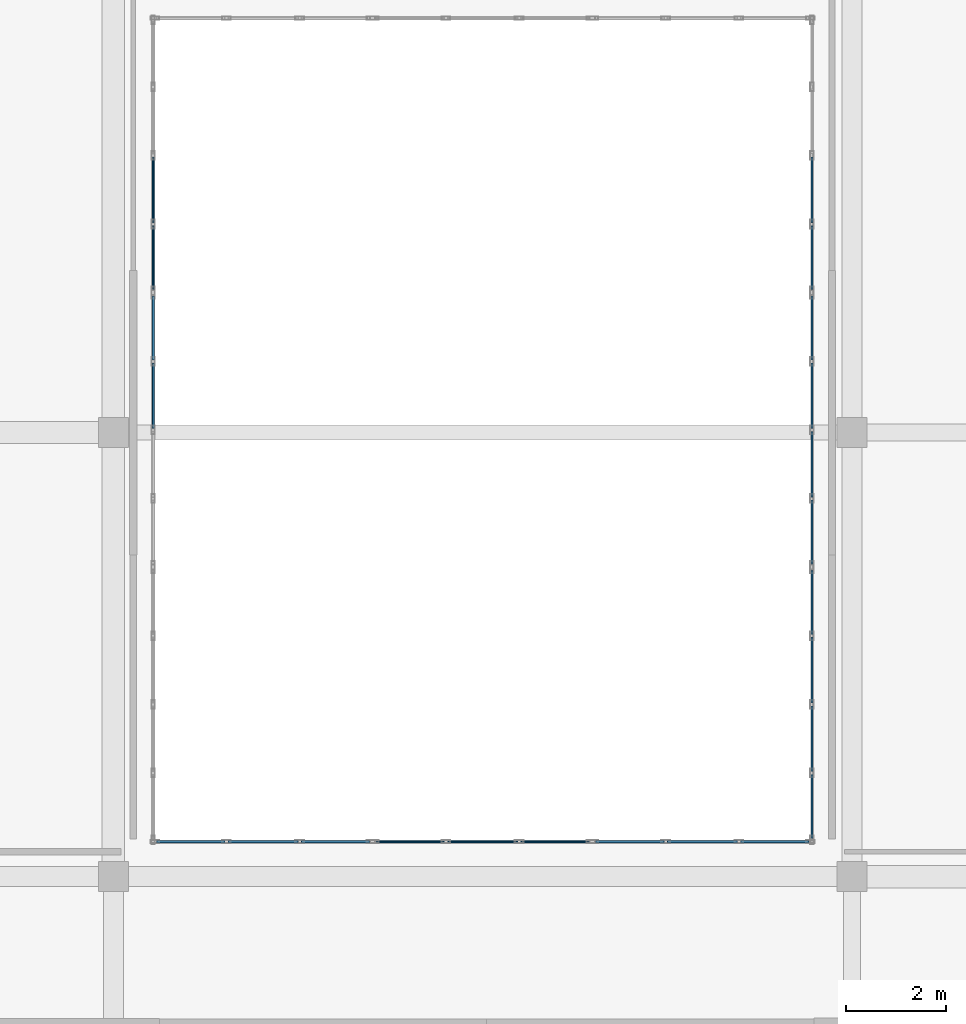
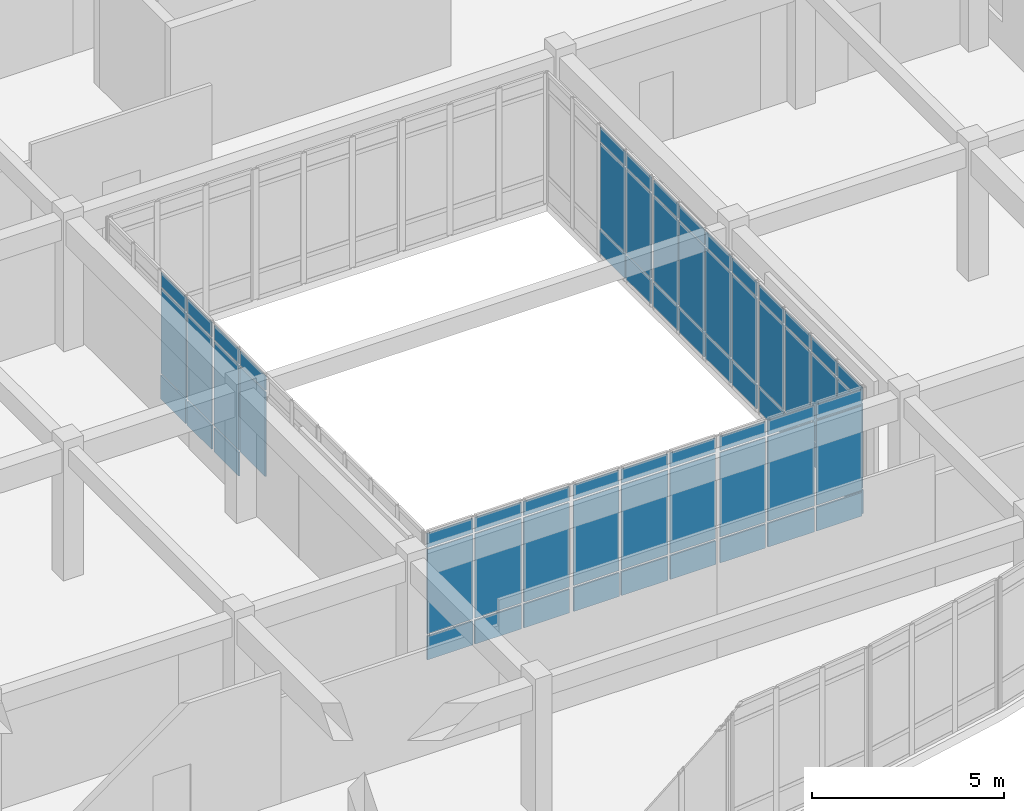
# One storey, part 113 of 142: 68 plates, 8 elements without a shape of their own.
"""IFC4 building model written with IfcOpenShell, lengths in metres."""

from ifc_helpers import new_model, si_unit, direction, frame, origin, origin_2d, place, context, subcontext, project, spatial, rectangle, extrude, material, layer, layer_set, type_object, element, aggregate, save


model = new_model("IFC4")

# Units and contexts
model_context = context("Model", 3, precision=1e-05, world=origin(), true_north=direction((0.0, 1.0)))
body_context = subcontext(model_context, "Body", "Model", "MODEL_VIEW")
ifc_project = project(units=[si_unit("LENGTHUNIT", "METRE"), si_unit("AREAUNIT", "SQUARE_METRE"), si_unit("VOLUMEUNIT", "CUBIC_METRE"), si_unit("PLANEANGLEUNIT", "RADIAN"), si_unit("MASSUNIT", "GRAM", prefix="KILO")], contexts=[model_context])

# Site, building, storey
site_placement = place(None, origin())
site = spatial("IfcSite", under=ifc_project, at=site_placement, CompositionType="ELEMENT")
building_placement = place(site_placement, origin())
building = spatial("IfcBuilding", under=site, at=building_placement, Name="Valcora Specialist Clinic", CompositionType="ELEMENT")
storey_placement = place(building_placement, frame((0.0, 0.0, 5.10009765625)))
storey = spatial("IfcBuildingStorey", under=building, at=storey_placement, Name="L01", CompositionType="ELEMENT", Elevation=5.10009765625)

# Curtain wall, plates
ifc_material_1 = material(Name="Anodized Bronze Aluminium 6063-T6", Category="aluminium")
ifc_layer_1 = layer(ifc_material_1, 0.175048828125)
ifc_layer_set_1 = layer_set([ifc_layer_1], Name="Anodized Bronze Aluminium 6063-T6")
curtain_wall_type = type_object("IfcCurtainWallType", Name="TY-CW-CRT15", PredefinedType="NOTDEFINED", material=ifc_layer_set_1)
curtain_wall_1_placement = place(storey_placement, origin())
curtain_wall_1 = element("IfcCurtainWall", 1, at=curtain_wall_1_placement, inside=storey, type_object=curtain_wall_type, Name="Curtain wall CW-L01-074", PredefinedType="NOTDEFINED")
ifc_material_2 = material(Name="Low-E Laminated Insulating Glass", Category="glass")
ifc_layer_2 = layer(ifc_material_2, 0.028076171875)
ifc_layer_set_2 = layer_set([ifc_layer_2], Name="Low-E Laminated Insulating Glass")
plate_type_1 = type_object("IfcPlateType", Name="TY-CWP-GLZ28", PredefinedType="CURTAIN_PANEL", material=ifc_layer_set_2)
plate_1_placement = place(storey_placement, frame((117.149658203125, 82.0, 0.88232421875), z_axis=(0.0, 0.0, 1.0), x_axis=(1.0, 0.0, 0.0)))
plate_1 = element("IfcPlate", 2, at=plate_1_placement, type_object=plate_type_1, Name="CW-CRT-15 panel 1.2", PredefinedType="CURTAIN_PANEL", context=body_context, shape_type="SweptSolid", body=[
    extrude(rectangle(XDim=1.369140625, YDim=0.028076171875, at=origin_2d()), origin(), (0.0, 0.0, 1.0), 2.679931640625),
])
plate_2_placement = place(storey_placement, frame((117.149658203125, 82.0, 3.62744140625), z_axis=(0.0, 0.0, 1.0), x_axis=(1.0, 0.0, 0.0)))
plate_2 = element("IfcPlate", 3, at=plate_2_placement, type_object=plate_type_1, Name="CW-CRT-15 panel 1.3", PredefinedType="CURTAIN_PANEL", context=body_context, shape_type="SweptSolid", body=[
    extrude(rectangle(XDim=1.369140625, YDim=0.028076171875, at=origin_2d()), origin(), (0.0, 0.0, 1.0), 0.452392578125),
])
plate_3_placement = place(storey_placement, frame((118.60009765625, 82.0, 0.88232421875), z_axis=(0.0, 0.0, 1.0), x_axis=(1.0, 0.0, 0.0)))
plate_3 = element("IfcPlate", 4, at=plate_3_placement, type_object=plate_type_1, Name="CW-CRT-15 panel 2.2", PredefinedType="CURTAIN_PANEL", context=body_context, shape_type="SweptSolid", body=[
    extrude(rectangle(XDim=1.401611328125, YDim=0.028076171875, at=origin_2d()), origin(), (0.0, 0.0, 1.0), 2.679931640625),
])
plate_4_placement = place(storey_placement, frame((118.60009765625, 82.0, 3.62744140625), z_axis=(0.0, 0.0, 1.0), x_axis=(1.0, 0.0, 0.0)))
plate_4 = element("IfcPlate", 5, at=plate_4_placement, type_object=plate_type_1, Name="CW-CRT-15 panel 2.3", PredefinedType="CURTAIN_PANEL", context=body_context, shape_type="SweptSolid", body=[
    extrude(rectangle(XDim=1.401611328125, YDim=0.028076171875, at=origin_2d()), origin(), (0.0, 0.0, 1.0), 0.452392578125),
])
plate_5_placement = place(storey_placement, frame((120.050537109375, 82.0, 0.88232421875), z_axis=(0.0, 0.0, 1.0), x_axis=(1.0, 0.0, 0.0)))
plate_5 = element("IfcPlate", 6, at=plate_5_placement, type_object=plate_type_1, Name="CW-CRT-15 panel 3.2", PredefinedType="CURTAIN_PANEL", context=body_context, shape_type="SweptSolid", body=[
    extrude(rectangle(XDim=1.369140625, YDim=0.028076171875, at=origin_2d()), origin(), (0.0, 0.0, 1.0), 2.679931640625),
])
plate_6_placement = place(storey_placement, frame((120.050537109375, 82.0, 3.62744140625), z_axis=(0.0, 0.0, 1.0), x_axis=(1.0, 0.0, 0.0)))
plate_6 = element("IfcPlate", 7, at=plate_6_placement, type_object=plate_type_1, Name="CW-CRT-15 panel 3.3", PredefinedType="CURTAIN_PANEL", context=body_context, shape_type="SweptSolid", body=[
    extrude(rectangle(XDim=1.369140625, YDim=0.028076171875, at=origin_2d()), origin(), (0.0, 0.0, 1.0), 0.452392578125),
])

curtain_wall_2_placement = place(storey_placement, origin())
curtain_wall_2 = element("IfcCurtainWall", 8, at=curtain_wall_2_placement, inside=storey, type_object=curtain_wall_type, Name="Curtain wall CW-L01-076", PredefinedType="NOTDEFINED")
plate_7_placement = place(storey_placement, frame((125.199951171875, 82.703857421875, 0.88232421875), z_axis=(0.0, 0.0, 1.0), x_axis=(0.0, 1.0, 0.0)))
plate_7 = element("IfcPlate", 9, at=plate_7_placement, type_object=plate_type_1, Name="CW-CRT-15 panel 1.2", PredefinedType="CURTAIN_PANEL", context=body_context, shape_type="SweptSolid", body=[
    extrude(rectangle(XDim=1.277587890625, YDim=0.028076171875, at=origin_2d()), origin(), (0.0, 0.0, 1.0), 2.679931640625),
])
plate_8_placement = place(storey_placement, frame((125.199951171875, 82.703857421875, 3.62744140625), z_axis=(0.0, 0.0, 1.0), x_axis=(0.0, 1.0, 0.0)))
plate_8 = element("IfcPlate", 10, at=plate_8_placement, type_object=plate_type_1, Name="CW-CRT-15 panel 1.3", PredefinedType="CURTAIN_PANEL", context=body_context, shape_type="SweptSolid", body=[
    extrude(rectangle(XDim=1.277587890625, YDim=0.028076171875, at=origin_2d()), origin(), (0.0, 0.0, 1.0), 0.452392578125),
])
plate_9_placement = place(storey_placement, frame((125.199951171875, 84.0625, 0.88232421875), z_axis=(0.0, 0.0, 1.0), x_axis=(0.0, 1.0, 0.0)))
plate_9 = element("IfcPlate", 11, at=plate_9_placement, type_object=plate_type_1, Name="CW-CRT-15 panel 2.2", PredefinedType="CURTAIN_PANEL", context=body_context, shape_type="SweptSolid", body=[
    extrude(rectangle(XDim=1.31005859375, YDim=0.028076171875, at=origin_2d()), origin(), (0.0, 0.0, 1.0), 2.679931640625),
])
plate_10_placement = place(storey_placement, frame((125.199951171875, 84.0625, 3.62744140625), z_axis=(0.0, 0.0, 1.0), x_axis=(0.0, 1.0, 0.0)))
plate_10 = element("IfcPlate", 12, at=plate_10_placement, type_object=plate_type_1, Name="CW-CRT-15 panel 2.3", PredefinedType="CURTAIN_PANEL", context=body_context, shape_type="SweptSolid", body=[
    extrude(rectangle(XDim=1.31005859375, YDim=0.028076171875, at=origin_2d()), origin(), (0.0, 0.0, 1.0), 0.452392578125),
])
plate_11_placement = place(storey_placement, frame((125.199951171875, 85.4375, 0.88232421875), z_axis=(0.0, 0.0, 1.0), x_axis=(0.0, 1.0, 0.0)))
plate_11 = element("IfcPlate", 13, at=plate_11_placement, type_object=plate_type_1, Name="CW-CRT-15 panel 3.2", PredefinedType="CURTAIN_PANEL", context=body_context, shape_type="SweptSolid", body=[
    extrude(rectangle(XDim=1.31005859375, YDim=0.028076171875, at=origin_2d()), origin(), (0.0, 0.0, 1.0), 2.679931640625),
])
plate_12_placement = place(storey_placement, frame((125.199951171875, 85.4375, 3.62744140625), z_axis=(0.0, 0.0, 1.0), x_axis=(0.0, 1.0, 0.0)))
plate_12 = element("IfcPlate", 14, at=plate_12_placement, type_object=plate_type_1, Name="CW-CRT-15 panel 3.3", PredefinedType="CURTAIN_PANEL", context=body_context, shape_type="SweptSolid", body=[
    extrude(rectangle(XDim=1.31005859375, YDim=0.028076171875, at=origin_2d()), origin(), (0.0, 0.0, 1.0), 0.452392578125),
])
plate_13_placement = place(storey_placement, frame((125.199951171875, 86.796142578125, 0.88232421875), z_axis=(0.0, 0.0, 1.0), x_axis=(0.0, 1.0, 0.0)))
plate_13 = element("IfcPlate", 15, at=plate_13_placement, type_object=plate_type_1, Name="CW-CRT-15 panel 4.2", PredefinedType="CURTAIN_PANEL", context=body_context, shape_type="SweptSolid", body=[
    extrude(rectangle(XDim=1.277587890625, YDim=0.028076171875, at=origin_2d()), origin(), (0.0, 0.0, 1.0), 2.679931640625),
])
plate_14_placement = place(storey_placement, frame((125.199951171875, 86.796142578125, 3.62744140625), z_axis=(0.0, 0.0, 1.0), x_axis=(0.0, 1.0, 0.0)))
plate_14 = element("IfcPlate", 16, at=plate_14_placement, type_object=plate_type_1, Name="CW-CRT-15 panel 4.3", PredefinedType="CURTAIN_PANEL", context=body_context, shape_type="SweptSolid", body=[
    extrude(rectangle(XDim=1.277587890625, YDim=0.028076171875, at=origin_2d()), origin(), (0.0, 0.0, 1.0), 0.452392578125),
])

curtain_wall_3_placement = place(storey_placement, origin())
curtain_wall_3 = element("IfcCurtainWall", 17, at=curtain_wall_3_placement, inside=storey, type_object=curtain_wall_type, Name="Curtain wall CW-L01-078", PredefinedType="NOTDEFINED")
plate_15_placement = place(storey_placement, frame((125.199951171875, 93.703857421875, 0.88232421875), z_axis=(0.0, 0.0, 1.0), x_axis=(0.0, 1.0, 0.0)))
plate_15 = element("IfcPlate", 18, at=plate_15_placement, type_object=plate_type_1, Name="CW-CRT-15 panel 1.2", PredefinedType="CURTAIN_PANEL", context=body_context, shape_type="SweptSolid", body=[
    extrude(rectangle(XDim=1.277587890625, YDim=0.028076171875, at=origin_2d()), origin(), (0.0, 0.0, 1.0), 2.679931640625),
])
plate_16_placement = place(storey_placement, frame((125.199951171875, 93.703857421875, 3.62744140625), z_axis=(0.0, 0.0, 1.0), x_axis=(0.0, 1.0, 0.0)))
plate_16 = element("IfcPlate", 19, at=plate_16_placement, type_object=plate_type_1, Name="CW-CRT-15 panel 1.3", PredefinedType="CURTAIN_PANEL", context=body_context, shape_type="SweptSolid", body=[
    extrude(rectangle(XDim=1.277587890625, YDim=0.028076171875, at=origin_2d()), origin(), (0.0, 0.0, 1.0), 0.452392578125),
])
plate_17_placement = place(storey_placement, frame((125.199951171875, 95.0625, 0.88232421875), z_axis=(0.0, 0.0, 1.0), x_axis=(0.0, 1.0, 0.0)))
plate_17 = element("IfcPlate", 20, at=plate_17_placement, type_object=plate_type_1, Name="CW-CRT-15 panel 2.2", PredefinedType="CURTAIN_PANEL", context=body_context, shape_type="SweptSolid", body=[
    extrude(rectangle(XDim=1.31005859375, YDim=0.028076171875, at=origin_2d()), origin(), (0.0, 0.0, 1.0), 2.679931640625),
])
plate_18_placement = place(storey_placement, frame((125.199951171875, 95.0625, 3.62744140625), z_axis=(0.0, 0.0, 1.0), x_axis=(0.0, 1.0, 0.0)))
plate_18 = element("IfcPlate", 21, at=plate_18_placement, type_object=plate_type_1, Name="CW-CRT-15 panel 2.3", PredefinedType="CURTAIN_PANEL", context=body_context, shape_type="SweptSolid", body=[
    extrude(rectangle(XDim=1.31005859375, YDim=0.028076171875, at=origin_2d()), origin(), (0.0, 0.0, 1.0), 0.452392578125),
])

curtain_wall_4_placement = place(storey_placement, origin())
curtain_wall_4 = element("IfcCurtainWall", 22, at=curtain_wall_4_placement, inside=storey, type_object=curtain_wall_type, Name="Curtain wall CW-L01-082", PredefinedType="NOTDEFINED")
plate_19_placement = place(storey_placement, frame((112.0, 95.0625, 0.88232421875), z_axis=(0.0, 0.0, 1.0), x_axis=(0.0, -1.0, 0.0)))
plate_19 = element("IfcPlate", 23, at=plate_19_placement, type_object=plate_type_1, Name="CW-CRT-15 panel 3.2", PredefinedType="CURTAIN_PANEL", context=body_context, shape_type="SweptSolid", body=[
    extrude(rectangle(XDim=1.31005859375, YDim=0.028076171875, at=origin_2d()), origin(), (0.0, 0.0, 1.0), 2.679931640625),
])
plate_20_placement = place(storey_placement, frame((112.0, 95.0625, 3.62744140625), z_axis=(0.0, 0.0, 1.0), x_axis=(0.0, -1.0, 0.0)))
plate_20 = element("IfcPlate", 24, at=plate_20_placement, type_object=plate_type_1, Name="CW-CRT-15 panel 3.3", PredefinedType="CURTAIN_PANEL", context=body_context, shape_type="SweptSolid", body=[
    extrude(rectangle(XDim=1.31005859375, YDim=0.028076171875, at=origin_2d()), origin(), (0.0, 0.0, 1.0), 0.452392578125),
])
plate_21_placement = place(storey_placement, frame((112.0, 93.703857421875, 0.88232421875), z_axis=(0.0, 0.0, 1.0), x_axis=(0.0, -1.0, 0.0)))
plate_21 = element("IfcPlate", 25, at=plate_21_placement, type_object=plate_type_1, Name="CW-CRT-15 panel 4.2", PredefinedType="CURTAIN_PANEL", context=body_context, shape_type="SweptSolid", body=[
    extrude(rectangle(XDim=1.277587890625, YDim=0.028076171875, at=origin_2d()), origin(), (0.0, 0.0, 1.0), 2.679931640625),
])
plate_22_placement = place(storey_placement, frame((112.0, 93.703857421875, 3.62744140625), z_axis=(0.0, 0.0, 1.0), x_axis=(0.0, -1.0, 0.0)))
plate_22 = element("IfcPlate", 26, at=plate_22_placement, type_object=plate_type_1, Name="CW-CRT-15 panel 4.3", PredefinedType="CURTAIN_PANEL", context=body_context, shape_type="SweptSolid", body=[
    extrude(rectangle(XDim=1.277587890625, YDim=0.028076171875, at=origin_2d()), origin(), (0.0, 0.0, 1.0), 0.452392578125),
])

curtain_wall_5_placement = place(storey_placement, origin())
curtain_wall_5 = element("IfcCurtainWall", 27, at=curtain_wall_5_placement, inside=storey, type_object=curtain_wall_type, Name="Curtain wall CW-L01-073", PredefinedType="NOTDEFINED")
ifc_layer_3 = layer(ifc_material_2, 0.033935546875)
ifc_layer_set_3 = layer_set([ifc_layer_3], Name="Low-E Laminated Insulating Glass")
plate_type_2 = type_object("IfcPlateType", Name="TY-CWP-GLZ34", PredefinedType="CURTAIN_PANEL", material=ifc_layer_set_3)
plate_23_placement = place(storey_placement, frame((112.74951171875, 82.0, 0.88232421875), z_axis=(0.0, 0.0, 1.0), x_axis=(1.0, 0.0, 0.0)))
plate_23 = element("IfcPlate", 28, at=plate_23_placement, type_object=plate_type_2, Name="CW-CRT-15 panel 1.2", PredefinedType="CURTAIN_PANEL", context=body_context, shape_type="SweptSolid", body=[
    extrude(rectangle(XDim=1.369140625, YDim=0.033935546875, at=origin_2d()), origin(), (0.0, 0.0, 1.0), 2.679931640625),
])
plate_24_placement = place(storey_placement, frame((112.74951171875, 82.0, 3.62744140625), z_axis=(0.0, 0.0, 1.0), x_axis=(1.0, 0.0, 0.0)))
plate_24 = element("IfcPlate", 29, at=plate_24_placement, type_object=plate_type_2, Name="CW-CRT-15 panel 1.3", PredefinedType="CURTAIN_PANEL", context=body_context, shape_type="SweptSolid", body=[
    extrude(rectangle(XDim=1.369140625, YDim=0.033935546875, at=origin_2d()), origin(), (0.0, 0.0, 1.0), 0.452392578125),
])
plate_25_placement = place(storey_placement, frame((114.199951171875, 82.0, 0.88232421875), z_axis=(0.0, 0.0, 1.0), x_axis=(1.0, 0.0, 0.0)))
plate_25 = element("IfcPlate", 30, at=plate_25_placement, type_object=plate_type_2, Name="CW-CRT-15 panel 2.2", PredefinedType="CURTAIN_PANEL", context=body_context, shape_type="SweptSolid", body=[
    extrude(rectangle(XDim=1.401611328125, YDim=0.033935546875, at=origin_2d()), origin(), (0.0, 0.0, 1.0), 2.679931640625),
])
plate_26_placement = place(storey_placement, frame((114.199951171875, 82.0, 3.62744140625), z_axis=(0.0, 0.0, 1.0), x_axis=(1.0, 0.0, 0.0)))
plate_26 = element("IfcPlate", 31, at=plate_26_placement, type_object=plate_type_2, Name="CW-CRT-15 panel 2.3", PredefinedType="CURTAIN_PANEL", context=body_context, shape_type="SweptSolid", body=[
    extrude(rectangle(XDim=1.401611328125, YDim=0.033935546875, at=origin_2d()), origin(), (0.0, 0.0, 1.0), 0.452392578125),
])
plate_27_placement = place(storey_placement, frame((115.650390625, 82.0, 0.88232421875), z_axis=(0.0, 0.0, 1.0), x_axis=(1.0, 0.0, 0.0)))
plate_27 = element("IfcPlate", 32, at=plate_27_placement, type_object=plate_type_2, Name="CW-CRT-15 panel 3.2", PredefinedType="CURTAIN_PANEL", context=body_context, shape_type="SweptSolid", body=[
    extrude(rectangle(XDim=1.369140625, YDim=0.033935546875, at=origin_2d()), origin(), (0.0, 0.0, 1.0), 2.679931640625),
])
plate_28_placement = place(storey_placement, frame((115.650390625, 82.0, 3.62744140625), z_axis=(0.0, 0.0, 1.0), x_axis=(1.0, 0.0, 0.0)))
plate_28 = element("IfcPlate", 33, at=plate_28_placement, type_object=plate_type_2, Name="CW-CRT-15 panel 3.3", PredefinedType="CURTAIN_PANEL", context=body_context, shape_type="SweptSolid", body=[
    extrude(rectangle(XDim=1.369140625, YDim=0.033935546875, at=origin_2d()), origin(), (0.0, 0.0, 1.0), 0.452392578125),
])

curtain_wall_6_placement = place(storey_placement, origin())
curtain_wall_6 = element("IfcCurtainWall", 34, at=curtain_wall_6_placement, inside=storey, type_object=curtain_wall_type, Name="Curtain wall CW-L01-075", PredefinedType="NOTDEFINED")
plate_29_placement = place(storey_placement, frame((121.549560546875, 82.0, 0.88232421875), z_axis=(0.0, 0.0, 1.0), x_axis=(1.0, 0.0, 0.0)))
plate_29 = element("IfcPlate", 35, at=plate_29_placement, type_object=plate_type_2, Name="CW-CRT-15 panel 1.2", PredefinedType="CURTAIN_PANEL", context=body_context, shape_type="SweptSolid", body=[
    extrude(rectangle(XDim=1.369140625, YDim=0.033935546875, at=origin_2d()), origin(), (0.0, 0.0, 1.0), 2.679931640625),
])
plate_30_placement = place(storey_placement, frame((121.549560546875, 82.0, 3.62744140625), z_axis=(0.0, 0.0, 1.0), x_axis=(1.0, 0.0, 0.0)))
plate_30 = element("IfcPlate", 36, at=plate_30_placement, type_object=plate_type_2, Name="CW-CRT-15 panel 1.3", PredefinedType="CURTAIN_PANEL", context=body_context, shape_type="SweptSolid", body=[
    extrude(rectangle(XDim=1.369140625, YDim=0.033935546875, at=origin_2d()), origin(), (0.0, 0.0, 1.0), 0.452392578125),
])
plate_31_placement = place(storey_placement, frame((123.0, 82.0, 0.88232421875), z_axis=(0.0, 0.0, 1.0), x_axis=(1.0, 0.0, 0.0)))
plate_31 = element("IfcPlate", 37, at=plate_31_placement, type_object=plate_type_2, Name="CW-CRT-15 panel 2.2", PredefinedType="CURTAIN_PANEL", context=body_context, shape_type="SweptSolid", body=[
    extrude(rectangle(XDim=1.401611328125, YDim=0.033935546875, at=origin_2d()), origin(), (0.0, 0.0, 1.0), 2.679931640625),
])
plate_32_placement = place(storey_placement, frame((123.0, 82.0, 3.62744140625), z_axis=(0.0, 0.0, 1.0), x_axis=(1.0, 0.0, 0.0)))
plate_32 = element("IfcPlate", 38, at=plate_32_placement, type_object=plate_type_2, Name="CW-CRT-15 panel 2.3", PredefinedType="CURTAIN_PANEL", context=body_context, shape_type="SweptSolid", body=[
    extrude(rectangle(XDim=1.401611328125, YDim=0.033935546875, at=origin_2d()), origin(), (0.0, 0.0, 1.0), 0.452392578125),
])
plate_33_placement = place(storey_placement, frame((124.450439453125, 82.0, 0.88232421875), z_axis=(0.0, 0.0, 1.0), x_axis=(1.0, 0.0, 0.0)))
plate_33 = element("IfcPlate", 39, at=plate_33_placement, type_object=plate_type_2, Name="CW-CRT-15 panel 3.2", PredefinedType="CURTAIN_PANEL", context=body_context, shape_type="SweptSolid", body=[
    extrude(rectangle(XDim=1.369140625, YDim=0.033935546875, at=origin_2d()), origin(), (0.0, 0.0, 1.0), 2.679931640625),
])
plate_34_placement = place(storey_placement, frame((124.450439453125, 82.0, 3.62744140625), z_axis=(0.0, 0.0, 1.0), x_axis=(1.0, 0.0, 0.0)))
plate_34 = element("IfcPlate", 40, at=plate_34_placement, type_object=plate_type_2, Name="CW-CRT-15 panel 3.3", PredefinedType="CURTAIN_PANEL", context=body_context, shape_type="SweptSolid", body=[
    extrude(rectangle(XDim=1.369140625, YDim=0.033935546875, at=origin_2d()), origin(), (0.0, 0.0, 1.0), 0.452392578125),
])

curtain_wall_7_placement = place(storey_placement, origin())
curtain_wall_7 = element("IfcCurtainWall", 41, at=curtain_wall_7_placement, inside=storey, type_object=curtain_wall_type, Name="Curtain wall CW-L01-077", PredefinedType="NOTDEFINED")
plate_35_placement = place(storey_placement, frame((125.199951171875, 88.203857421875, 0.88232421875), z_axis=(0.0, 0.0, 1.0), x_axis=(0.0, 1.0, 0.0)))
plate_35 = element("IfcPlate", 42, at=plate_35_placement, type_object=plate_type_2, Name="CW-CRT-15 panel 1.2", PredefinedType="CURTAIN_PANEL", context=body_context, shape_type="SweptSolid", body=[
    extrude(rectangle(XDim=1.277587890625, YDim=0.033935546875, at=origin_2d()), origin(), (0.0, 0.0, 1.0), 2.679931640625),
])
plate_36_placement = place(storey_placement, frame((125.199951171875, 88.203857421875, 3.62744140625), z_axis=(0.0, 0.0, 1.0), x_axis=(0.0, 1.0, 0.0)))
plate_36 = element("IfcPlate", 43, at=plate_36_placement, type_object=plate_type_2, Name="CW-CRT-15 panel 1.3", PredefinedType="CURTAIN_PANEL", context=body_context, shape_type="SweptSolid", body=[
    extrude(rectangle(XDim=1.277587890625, YDim=0.033935546875, at=origin_2d()), origin(), (0.0, 0.0, 1.0), 0.452392578125),
])
plate_37_placement = place(storey_placement, frame((125.199951171875, 89.5625, 0.88232421875), z_axis=(0.0, 0.0, 1.0), x_axis=(0.0, 1.0, 0.0)))
plate_37 = element("IfcPlate", 44, at=plate_37_placement, type_object=plate_type_2, Name="CW-CRT-15 panel 2.2", PredefinedType="CURTAIN_PANEL", context=body_context, shape_type="SweptSolid", body=[
    extrude(rectangle(XDim=1.31005859375, YDim=0.033935546875, at=origin_2d()), origin(), (0.0, 0.0, 1.0), 2.679931640625),
])
plate_38_placement = place(storey_placement, frame((125.199951171875, 89.5625, 3.62744140625), z_axis=(0.0, 0.0, 1.0), x_axis=(0.0, 1.0, 0.0)))
plate_38 = element("IfcPlate", 45, at=plate_38_placement, type_object=plate_type_2, Name="CW-CRT-15 panel 2.3", PredefinedType="CURTAIN_PANEL", context=body_context, shape_type="SweptSolid", body=[
    extrude(rectangle(XDim=1.31005859375, YDim=0.033935546875, at=origin_2d()), origin(), (0.0, 0.0, 1.0), 0.452392578125),
])
plate_39_placement = place(storey_placement, frame((125.199951171875, 90.9375, 0.88232421875), z_axis=(0.0, 0.0, 1.0), x_axis=(0.0, 1.0, 0.0)))
plate_39 = element("IfcPlate", 46, at=plate_39_placement, type_object=plate_type_2, Name="CW-CRT-15 panel 3.2", PredefinedType="CURTAIN_PANEL", context=body_context, shape_type="SweptSolid", body=[
    extrude(rectangle(XDim=1.31005859375, YDim=0.033935546875, at=origin_2d()), origin(), (0.0, 0.0, 1.0), 2.679931640625),
])
plate_40_placement = place(storey_placement, frame((125.199951171875, 90.9375, 3.62744140625), z_axis=(0.0, 0.0, 1.0), x_axis=(0.0, 1.0, 0.0)))
plate_40 = element("IfcPlate", 47, at=plate_40_placement, type_object=plate_type_2, Name="CW-CRT-15 panel 3.3", PredefinedType="CURTAIN_PANEL", context=body_context, shape_type="SweptSolid", body=[
    extrude(rectangle(XDim=1.31005859375, YDim=0.033935546875, at=origin_2d()), origin(), (0.0, 0.0, 1.0), 0.452392578125),
])
plate_41_placement = place(storey_placement, frame((125.199951171875, 92.296142578125, 0.88232421875), z_axis=(0.0, 0.0, 1.0), x_axis=(0.0, 1.0, 0.0)))
plate_41 = element("IfcPlate", 48, at=plate_41_placement, type_object=plate_type_2, Name="CW-CRT-15 panel 4.2", PredefinedType="CURTAIN_PANEL", context=body_context, shape_type="SweptSolid", body=[
    extrude(rectangle(XDim=1.277587890625, YDim=0.033935546875, at=origin_2d()), origin(), (0.0, 0.0, 1.0), 2.679931640625),
])
plate_42_placement = place(storey_placement, frame((125.199951171875, 92.296142578125, 3.62744140625), z_axis=(0.0, 0.0, 1.0), x_axis=(0.0, 1.0, 0.0)))
plate_42 = element("IfcPlate", 49, at=plate_42_placement, type_object=plate_type_2, Name="CW-CRT-15 panel 4.3", PredefinedType="CURTAIN_PANEL", context=body_context, shape_type="SweptSolid", body=[
    extrude(rectangle(XDim=1.277587890625, YDim=0.033935546875, at=origin_2d()), origin(), (0.0, 0.0, 1.0), 0.452392578125),
])

curtain_wall_8_placement = place(storey_placement, origin())
curtain_wall_8 = element("IfcCurtainWall", 50, at=curtain_wall_8_placement, inside=storey, type_object=curtain_wall_type, Name="Curtain wall CW-L01-083", PredefinedType="NOTDEFINED")
plate_43_placement = place(storey_placement, frame((112.0, 92.296142578125, 0.88232421875), z_axis=(0.0, 0.0, 1.0), x_axis=(0.0, -1.0, 0.0)))
plate_43 = element("IfcPlate", 51, at=plate_43_placement, type_object=plate_type_2, Name="CW-CRT-15 panel 1.2", PredefinedType="CURTAIN_PANEL", context=body_context, shape_type="SweptSolid", body=[
    extrude(rectangle(XDim=1.277587890625, YDim=0.033935546875, at=origin_2d()), origin(), (0.0, 0.0, 1.0), 2.679931640625),
])
plate_44_placement = place(storey_placement, frame((112.0, 92.296142578125, 3.62744140625), z_axis=(0.0, 0.0, 1.0), x_axis=(0.0, -1.0, 0.0)))
plate_44 = element("IfcPlate", 52, at=plate_44_placement, type_object=plate_type_2, Name="CW-CRT-15 panel 1.3", PredefinedType="CURTAIN_PANEL", context=body_context, shape_type="SweptSolid", body=[
    extrude(rectangle(XDim=1.277587890625, YDim=0.033935546875, at=origin_2d()), origin(), (0.0, 0.0, 1.0), 0.452392578125),
])
plate_45_placement = place(storey_placement, frame((112.0, 90.9375, 0.88232421875), z_axis=(0.0, 0.0, 1.0), x_axis=(0.0, -1.0, 0.0)))
plate_45 = element("IfcPlate", 53, at=plate_45_placement, type_object=plate_type_2, Name="CW-CRT-15 panel 2.2", PredefinedType="CURTAIN_PANEL", context=body_context, shape_type="SweptSolid", body=[
    extrude(rectangle(XDim=1.31005859375, YDim=0.033935546875, at=origin_2d()), origin(), (0.0, 0.0, 1.0), 2.679931640625),
])
plate_46_placement = place(storey_placement, frame((112.0, 90.9375, 3.62744140625), z_axis=(0.0, 0.0, 1.0), x_axis=(0.0, -1.0, 0.0)))
plate_46 = element("IfcPlate", 54, at=plate_46_placement, type_object=plate_type_2, Name="CW-CRT-15 panel 2.3", PredefinedType="CURTAIN_PANEL", context=body_context, shape_type="SweptSolid", body=[
    extrude(rectangle(XDim=1.31005859375, YDim=0.033935546875, at=origin_2d()), origin(), (0.0, 0.0, 1.0), 0.452392578125),
])

# Plate
ifc_material_3 = material(Name="Insulated Spandrel Panel")
ifc_layer_4 = layer(ifc_material_3, 0.044921875)
ifc_layer_set_4 = layer_set([ifc_layer_4], Name="Insulated Spandrel Panel")
plate_type_3 = type_object("IfcPlateType", Name="TY-CWP-SPN45", PredefinedType="SHEET", material=ifc_layer_set_4)
plate_47_placement = place(storey_placement, frame((112.74951171875, 82.0, 0.06494140625), z_axis=(0.0, 0.0, 1.0), x_axis=(1.0, 0.0, 0.0)))
plate_47 = element("IfcPlate", 55, at=plate_47_placement, type_object=plate_type_3, Name="CW-CRT-15 panel 1.1", PredefinedType="SHEET", context=body_context, shape_type="SweptSolid", body=[
    extrude(rectangle(XDim=1.369140625, YDim=0.044921875, at=origin_2d()), origin(), (0.0, 0.0, 1.0), 0.75244140625),
])

plate_48_placement = place(storey_placement, frame((114.199951171875, 82.0, 0.06494140625), z_axis=(0.0, 0.0, 1.0), x_axis=(1.0, 0.0, 0.0)))
plate_48 = element("IfcPlate", 56, at=plate_48_placement, type_object=plate_type_3, Name="CW-CRT-15 panel 2.1", PredefinedType="SHEET", context=body_context, shape_type="SweptSolid", body=[
    extrude(rectangle(XDim=1.401611328125, YDim=0.044921875, at=origin_2d()), origin(), (0.0, 0.0, 1.0), 0.75244140625),
])

plate_49_placement = place(storey_placement, frame((115.650390625, 82.0, 0.06494140625), z_axis=(0.0, 0.0, 1.0), x_axis=(1.0, 0.0, 0.0)))
plate_49 = element("IfcPlate", 57, at=plate_49_placement, type_object=plate_type_3, Name="CW-CRT-15 panel 3.1", PredefinedType="SHEET", context=body_context, shape_type="SweptSolid", body=[
    extrude(rectangle(XDim=1.369140625, YDim=0.044921875, at=origin_2d()), origin(), (0.0, 0.0, 1.0), 0.75244140625),
])

aggregate(curtain_wall_5, [plate_47, plate_23, plate_24, plate_48, plate_25, plate_26, plate_49, plate_27, plate_28])

plate_50_placement = place(storey_placement, frame((117.149658203125, 82.0, 0.06494140625), z_axis=(0.0, 0.0, 1.0), x_axis=(1.0, 0.0, 0.0)))
plate_50 = element("IfcPlate", 58, at=plate_50_placement, type_object=plate_type_3, Name="CW-CRT-15 panel 1.1", PredefinedType="SHEET", context=body_context, shape_type="SweptSolid", body=[
    extrude(rectangle(XDim=1.369140625, YDim=0.044921875, at=origin_2d()), origin(), (0.0, 0.0, 1.0), 0.75244140625),
])

plate_51_placement = place(storey_placement, frame((118.60009765625, 82.0, 0.06494140625), z_axis=(0.0, 0.0, 1.0), x_axis=(1.0, 0.0, 0.0)))
plate_51 = element("IfcPlate", 59, at=plate_51_placement, type_object=plate_type_3, Name="CW-CRT-15 panel 2.1", PredefinedType="SHEET", context=body_context, shape_type="SweptSolid", body=[
    extrude(rectangle(XDim=1.401611328125, YDim=0.044921875, at=origin_2d()), origin(), (0.0, 0.0, 1.0), 0.75244140625),
])

plate_52_placement = place(storey_placement, frame((120.050537109375, 82.0, 0.06494140625), z_axis=(0.0, 0.0, 1.0), x_axis=(1.0, 0.0, 0.0)))
plate_52 = element("IfcPlate", 60, at=plate_52_placement, type_object=plate_type_3, Name="CW-CRT-15 panel 3.1", PredefinedType="SHEET", context=body_context, shape_type="SweptSolid", body=[
    extrude(rectangle(XDim=1.369140625, YDim=0.044921875, at=origin_2d()), origin(), (0.0, 0.0, 1.0), 0.75244140625),
])

aggregate(curtain_wall_1, [plate_50, plate_1, plate_2, plate_51, plate_3, plate_4, plate_52, plate_5, plate_6])

plate_53_placement = place(storey_placement, frame((121.549560546875, 82.0, 0.06494140625), z_axis=(0.0, 0.0, 1.0), x_axis=(1.0, 0.0, 0.0)))
plate_53 = element("IfcPlate", 61, at=plate_53_placement, type_object=plate_type_3, Name="CW-CRT-15 panel 1.1", PredefinedType="SHEET", context=body_context, shape_type="SweptSolid", body=[
    extrude(rectangle(XDim=1.369140625, YDim=0.044921875, at=origin_2d()), origin(), (0.0, 0.0, 1.0), 0.75244140625),
])

plate_54_placement = place(storey_placement, frame((123.0, 82.0, 0.06494140625), z_axis=(0.0, 0.0, 1.0), x_axis=(1.0, 0.0, 0.0)))
plate_54 = element("IfcPlate", 62, at=plate_54_placement, type_object=plate_type_3, Name="CW-CRT-15 panel 2.1", PredefinedType="SHEET", context=body_context, shape_type="SweptSolid", body=[
    extrude(rectangle(XDim=1.401611328125, YDim=0.044921875, at=origin_2d()), origin(), (0.0, 0.0, 1.0), 0.75244140625),
])

plate_55_placement = place(storey_placement, frame((124.450439453125, 82.0, 0.06494140625), z_axis=(0.0, 0.0, 1.0), x_axis=(1.0, 0.0, 0.0)))
plate_55 = element("IfcPlate", 63, at=plate_55_placement, type_object=plate_type_3, Name="CW-CRT-15 panel 3.1", PredefinedType="SHEET", context=body_context, shape_type="SweptSolid", body=[
    extrude(rectangle(XDim=1.369140625, YDim=0.044921875, at=origin_2d()), origin(), (0.0, 0.0, 1.0), 0.75244140625),
])

aggregate(curtain_wall_6, [plate_53, plate_29, plate_30, plate_54, plate_31, plate_32, plate_55, plate_33, plate_34])

plate_56_placement = place(storey_placement, frame((125.199951171875, 82.703857421875, 0.06494140625), z_axis=(0.0, 0.0, 1.0), x_axis=(0.0, 1.0, 0.0)))
plate_56 = element("IfcPlate", 64, at=plate_56_placement, type_object=plate_type_3, Name="CW-CRT-15 panel 1.1", PredefinedType="SHEET", context=body_context, shape_type="SweptSolid", body=[
    extrude(rectangle(XDim=1.277587890625, YDim=0.044921875, at=origin_2d()), origin(), (0.0, 0.0, 1.0), 0.75244140625),
])

plate_57_placement = place(storey_placement, frame((125.199951171875, 84.0625, 0.06494140625), z_axis=(0.0, 0.0, 1.0), x_axis=(0.0, 1.0, 0.0)))
plate_57 = element("IfcPlate", 65, at=plate_57_placement, type_object=plate_type_3, Name="CW-CRT-15 panel 2.1", PredefinedType="SHEET", context=body_context, shape_type="SweptSolid", body=[
    extrude(rectangle(XDim=1.31005859375, YDim=0.044921875, at=origin_2d()), origin(), (0.0, 0.0, 1.0), 0.75244140625),
])

plate_58_placement = place(storey_placement, frame((125.199951171875, 85.4375, 0.06494140625), z_axis=(0.0, 0.0, 1.0), x_axis=(0.0, 1.0, 0.0)))
plate_58 = element("IfcPlate", 66, at=plate_58_placement, type_object=plate_type_3, Name="CW-CRT-15 panel 3.1", PredefinedType="SHEET", context=body_context, shape_type="SweptSolid", body=[
    extrude(rectangle(XDim=1.31005859375, YDim=0.044921875, at=origin_2d()), origin(), (0.0, 0.0, 1.0), 0.75244140625),
])

plate_59_placement = place(storey_placement, frame((125.199951171875, 86.796142578125, 0.06494140625), z_axis=(0.0, 0.0, 1.0), x_axis=(0.0, 1.0, 0.0)))
plate_59 = element("IfcPlate", 67, at=plate_59_placement, type_object=plate_type_3, Name="CW-CRT-15 panel 4.1", PredefinedType="SHEET", context=body_context, shape_type="SweptSolid", body=[
    extrude(rectangle(XDim=1.277587890625, YDim=0.044921875, at=origin_2d()), origin(), (0.0, 0.0, 1.0), 0.75244140625),
])

aggregate(curtain_wall_2, [plate_56, plate_7, plate_8, plate_57, plate_9, plate_10, plate_58, plate_11, plate_12, plate_59, plate_13, plate_14])

plate_60_placement = place(storey_placement, frame((125.199951171875, 88.203857421875, 0.06494140625), z_axis=(0.0, 0.0, 1.0), x_axis=(0.0, 1.0, 0.0)))
plate_60 = element("IfcPlate", 68, at=plate_60_placement, type_object=plate_type_3, Name="CW-CRT-15 panel 1.1", PredefinedType="SHEET", context=body_context, shape_type="SweptSolid", body=[
    extrude(rectangle(XDim=1.277587890625, YDim=0.044921875, at=origin_2d()), origin(), (0.0, 0.0, 1.0), 0.75244140625),
])

plate_61_placement = place(storey_placement, frame((125.199951171875, 89.5625, 0.06494140625), z_axis=(0.0, 0.0, 1.0), x_axis=(0.0, 1.0, 0.0)))
plate_61 = element("IfcPlate", 69, at=plate_61_placement, type_object=plate_type_3, Name="CW-CRT-15 panel 2.1", PredefinedType="SHEET", context=body_context, shape_type="SweptSolid", body=[
    extrude(rectangle(XDim=1.31005859375, YDim=0.044921875, at=origin_2d()), origin(), (0.0, 0.0, 1.0), 0.75244140625),
])

plate_62_placement = place(storey_placement, frame((125.199951171875, 90.9375, 0.06494140625), z_axis=(0.0, 0.0, 1.0), x_axis=(0.0, 1.0, 0.0)))
plate_62 = element("IfcPlate", 70, at=plate_62_placement, type_object=plate_type_3, Name="CW-CRT-15 panel 3.1", PredefinedType="SHEET", context=body_context, shape_type="SweptSolid", body=[
    extrude(rectangle(XDim=1.31005859375, YDim=0.044921875, at=origin_2d()), origin(), (0.0, 0.0, 1.0), 0.75244140625),
])

plate_63_placement = place(storey_placement, frame((125.199951171875, 92.296142578125, 0.06494140625), z_axis=(0.0, 0.0, 1.0), x_axis=(0.0, 1.0, 0.0)))
plate_63 = element("IfcPlate", 71, at=plate_63_placement, type_object=plate_type_3, Name="CW-CRT-15 panel 4.1", PredefinedType="SHEET", context=body_context, shape_type="SweptSolid", body=[
    extrude(rectangle(XDim=1.277587890625, YDim=0.044921875, at=origin_2d()), origin(), (0.0, 0.0, 1.0), 0.75244140625),
])

aggregate(curtain_wall_7, [plate_60, plate_35, plate_36, plate_61, plate_37, plate_38, plate_62, plate_39, plate_40, plate_63, plate_41, plate_42])

plate_64_placement = place(storey_placement, frame((125.199951171875, 93.703857421875, 0.06494140625), z_axis=(0.0, 0.0, 1.0), x_axis=(0.0, 1.0, 0.0)))
plate_64 = element("IfcPlate", 72, at=plate_64_placement, type_object=plate_type_3, Name="CW-CRT-15 panel 1.1", PredefinedType="SHEET", context=body_context, shape_type="SweptSolid", body=[
    extrude(rectangle(XDim=1.277587890625, YDim=0.044921875, at=origin_2d()), origin(), (0.0, 0.0, 1.0), 0.75244140625),
])

plate_65_placement = place(storey_placement, frame((125.199951171875, 95.0625, 0.06494140625), z_axis=(0.0, 0.0, 1.0), x_axis=(0.0, 1.0, 0.0)))
plate_65 = element("IfcPlate", 73, at=plate_65_placement, type_object=plate_type_3, Name="CW-CRT-15 panel 2.1", PredefinedType="SHEET", context=body_context, shape_type="SweptSolid", body=[
    extrude(rectangle(XDim=1.31005859375, YDim=0.044921875, at=origin_2d()), origin(), (0.0, 0.0, 1.0), 0.75244140625),
])

aggregate(curtain_wall_3, [plate_64, plate_15, plate_16, plate_65, plate_17, plate_18])

plate_66_placement = place(storey_placement, frame((112.0, 95.0625, 0.06494140625), z_axis=(0.0, 0.0, 1.0), x_axis=(0.0, -1.0, 0.0)))
plate_66 = element("IfcPlate", 74, at=plate_66_placement, type_object=plate_type_3, Name="CW-CRT-15 panel 3.1", PredefinedType="SHEET", context=body_context, shape_type="SweptSolid", body=[
    extrude(rectangle(XDim=1.31005859375, YDim=0.044921875, at=origin_2d()), origin(), (0.0, 0.0, 1.0), 0.75244140625),
])

plate_67_placement = place(storey_placement, frame((112.0, 93.703857421875, 0.06494140625), z_axis=(0.0, 0.0, 1.0), x_axis=(0.0, -1.0, 0.0)))
plate_67 = element("IfcPlate", 75, at=plate_67_placement, type_object=plate_type_3, Name="CW-CRT-15 panel 4.1", PredefinedType="SHEET", context=body_context, shape_type="SweptSolid", body=[
    extrude(rectangle(XDim=1.277587890625, YDim=0.044921875, at=origin_2d()), origin(), (0.0, 0.0, 1.0), 0.75244140625),
])

aggregate(curtain_wall_4, [plate_66, plate_19, plate_20, plate_67, plate_21, plate_22])

plate_68_placement = place(storey_placement, frame((112.0, 92.296142578125, 0.06494140625), z_axis=(0.0, 0.0, 1.0), x_axis=(0.0, -1.0, 0.0)))
plate_68 = element("IfcPlate", 76, at=plate_68_placement, type_object=plate_type_3, Name="CW-CRT-15 panel 1.1", PredefinedType="SHEET", context=body_context, shape_type="SweptSolid", body=[
    extrude(rectangle(XDim=1.277587890625, YDim=0.044921875, at=origin_2d()), origin(), (0.0, 0.0, 1.0), 0.75244140625),
])

aggregate(curtain_wall_8, [plate_68, plate_43, plate_44, plate_45, plate_46])

save(model, "model.ifc")
